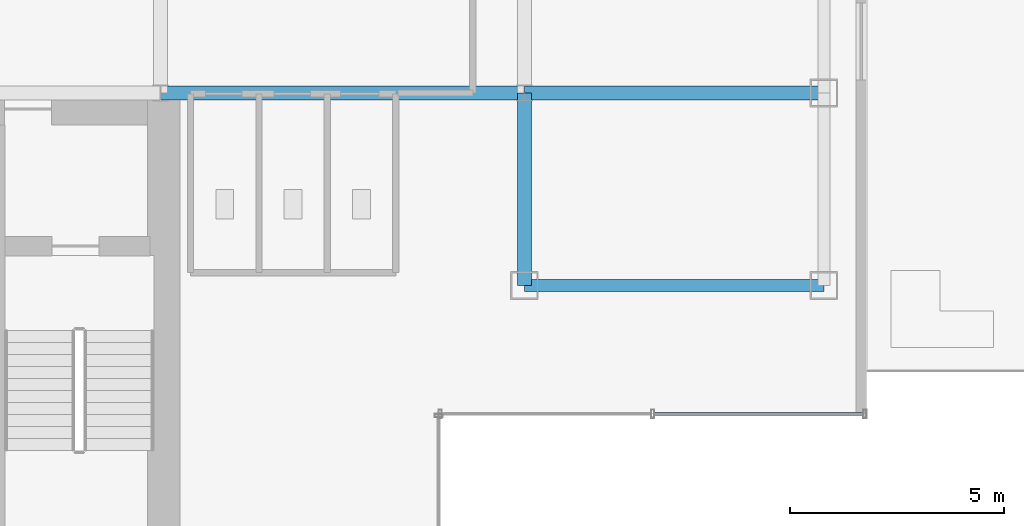
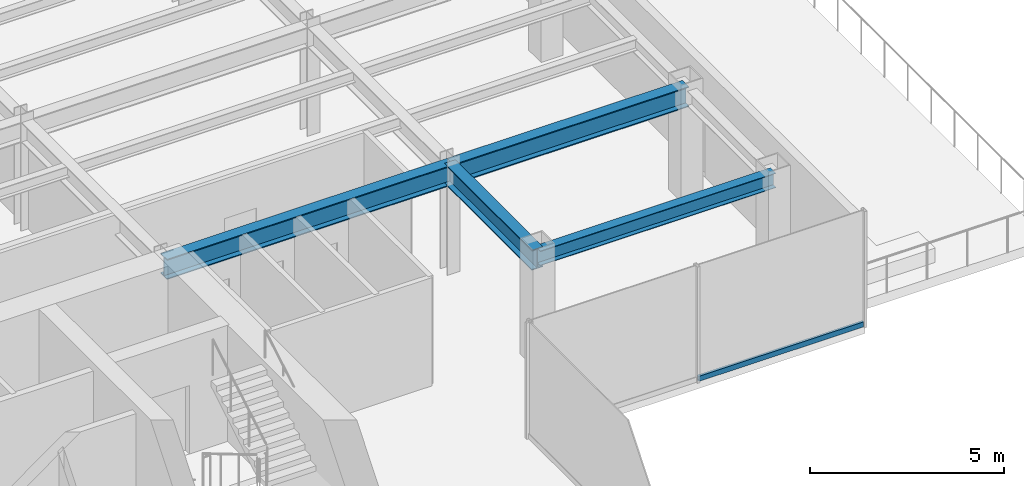
# One storey, part 10 of 23: 4 beams, 1 member, 1 element without a shape of its own.
"""IFC4 building model written with IfcOpenShell, lengths in metres."""

from ifc_helpers import new_model, si_unit, derived_unit, direction, frame, origin, origin_2d, place, context, subcontext, project, spatial, hollow_rectangle, i_section, extrude, source, transform, mapped, material, material_profile, profile_set, type_object, element, aggregate, save


model = new_model("IFC4")

# Units and contexts
model_context = context("Model", 3, precision=1e-05, world=origin(), true_north=direction((0.0, 1.0)))
body_context = subcontext(model_context, "Body", "Model", "MODEL_VIEW")
ifc_project = project(units=[si_unit("LENGTHUNIT", "METRE"), si_unit("AREAUNIT", "SQUARE_METRE"), si_unit("VOLUMEUNIT", "CUBIC_METRE"), si_unit("PLANEANGLEUNIT", "RADIAN"), si_unit("MASSUNIT", "GRAM", prefix="KILO"), derived_unit("THERMALTRANSMITTANCEUNIT", [(si_unit("POWERUNIT", "WATT"), 1), (si_unit("LENGTHUNIT", "METRE"), -2), (si_unit("THERMODYNAMICTEMPERATUREUNIT", "KELVIN"), -1)])], contexts=[model_context])

# Site, building, storey
site_placement = place(None, origin())
site = spatial("IfcSite", under=ifc_project, at=site_placement, CompositionType="ELEMENT")
building_placement = place(site_placement, origin())
building = spatial("IfcBuilding", under=site, at=building_placement, Name="Skarnbrae Concourse Arena and Tower", CompositionType="ELEMENT")
storey_placement = place(building_placement, frame((0.0, 0.0, 140.60009765625)))
storey = spatial("IfcBuildingStorey", under=building, at=storey_placement, Name="L35", CompositionType="ELEMENT", Elevation=140.60009765625)

# Beams
ifc_material_1 = material(Name="Steel CSA G40.21 350W", Category="steel")
ifc_material_profile_1 = material_profile(ifc_material_1, i_section(OverallWidth=0.280029296875, OverallDepth=0.462890625, WebThickness=0.0107421875, FlangeThickness=0.017333984375, at=origin_2d()), Name="W460X113")
ifc_profile_set_1 = profile_set([ifc_material_profile_1], Name="Steel CSA G40.21 350W")
beam_type_1 = type_object("IfcBeamType", Name="BM-SPAN-W460X113", PredefinedType="SPANDREL", material=ifc_profile_set_1)
shared_shape_1 = source(origin(), body_context, "Body", "SweptSolid", [
    extrude(i_section(OverallWidth=0.280029296875, OverallDepth=0.462890625, WebThickness=0.0107421875, FlangeThickness=0.017333984375, at=origin_2d()), origin(), (0.0, 0.0, 1.0), 7.0),
])
beam_1_placement = place(storey_placement, frame((42.0, 9.5, 3.16845703125), z_axis=(1.0, 0.0, 0.0), x_axis=(0.0, 1.0, 0.0)))
element("IfcBeam", 1, at=beam_1_placement, inside=storey, type_object=beam_type_1, Name="L35 Perimeter spandrel Y9.5-2", PredefinedType="SPANDREL", context=body_context, shape_type="MappedRepresentation", body=[
    mapped(shared_shape_1, transform((0.0, 0.0, 0.0))),
])
ifc_material_profile_2 = material_profile(ifc_material_1, i_section(OverallWidth=0.3291015625, OverallDepth=0.635009765625, WebThickness=0.017822265625, FlangeThickness=0.031005859375, at=origin_2d()), Name="W610X241")
ifc_profile_set_2 = profile_set([ifc_material_profile_2], Name="Steel CSA G40.21 350W")
beam_type_2 = type_object("IfcBeamType", Name="BM-GIRD-W610X241", PredefinedType="BEAM", material=ifc_profile_set_2)
shared_shape_2 = source(origin(), body_context, "Body", "SweptSolid", [
    extrude(i_section(OverallWidth=0.3291015625, OverallDepth=0.635009765625, WebThickness=0.017822265625, FlangeThickness=0.031005859375, at=origin_2d()), origin(), (0.0, 0.0, 1.0), 8.5),
])
beam_2_placement = place(storey_placement, frame((33.5, 14.0, 3.08251953125), z_axis=(1.0, 0.0, 0.0), x_axis=(0.0, 1.0, 0.0)))
element("IfcBeam", 2, at=beam_2_placement, inside=storey, type_object=beam_type_2, Name="L35 Primary E-W girder Y14.0-6", PredefinedType="BEAM", context=body_context, shape_type="MappedRepresentation", body=[
    mapped(shared_shape_2, transform((0.0, 0.0, 0.0))),
])
shared_shape_3 = source(origin(), body_context, "Body", "SweptSolid", [
    extrude(i_section(OverallWidth=0.3291015625, OverallDepth=0.635009765625, WebThickness=0.017822265625, FlangeThickness=0.031005859375, at=origin_2d()), origin(), (0.0, 0.0, 1.0), 7.0),
])
beam_3_placement = place(storey_placement, frame((42.0, 14.0, 3.08251953125), z_axis=(1.0, 0.0, 0.0), x_axis=(0.0, 1.0, 0.0)))
element("IfcBeam", 3, at=beam_3_placement, inside=storey, type_object=beam_type_2, Name="L35 Primary E-W girder Y14.0-7", PredefinedType="BEAM", context=body_context, shape_type="MappedRepresentation", body=[
    mapped(shared_shape_3, transform((0.0, 0.0, 0.0))),
])
shared_shape_4 = source(origin(), body_context, "Body", "SweptSolid", [
    extrude(i_section(OverallWidth=0.3291015625, OverallDepth=0.635009765625, WebThickness=0.017822265625, FlangeThickness=0.031005859375, at=origin_2d()), origin(), (0.0, 0.0, 1.0), 4.5),
])
beam_4_placement = place(storey_placement, frame((42.0, 9.5, 3.08251953125), z_axis=(0.0, 1.0, 0.0), x_axis=(-1.0, 0.0, 0.0)))
element("IfcBeam", 4, at=beam_4_placement, inside=storey, type_object=beam_type_2, Name="L35 Primary N-S girder X42.0-1", PredefinedType="BEAM", context=body_context, shape_type="MappedRepresentation", body=[
    mapped(shared_shape_4, transform((0.0, 0.0, 0.0))),
])

# Curtain wall, member
ifc_material_2 = material(Name="Bronze anodised aluminium 6063-T6", Category="aluminium")
curtain_wall_type = type_object("IfcCurtainWallType", Name="CW-SYS-04-MIDZONE", PredefinedType="USERDEFINED", material=ifc_material_2)
curtain_wall_placement = place(storey_placement, origin())
curtain_wall = element("IfcCurtainWall", 5, at=curtain_wall_placement, inside=storey, type_object=curtain_wall_type, Name="L35 Unitised curtain wall CW-L35-E03", ObjectType="UNITISED CURTAIN WALL", PredefinedType="USERDEFINED")
ifc_material_profile_3 = material_profile(ifc_material_2, hollow_rectangle(XDim=0.074951171875, YDim=0.159912109375, WallThickness=0.00439453125, at=origin_2d()), Name="ALU-TRAN-75X160")
ifc_profile_set_3 = profile_set([ifc_material_profile_3], Name="Bronze anodised aluminium 6063-T6")
member_type = type_object("IfcMemberType", Name="CWT-CW-04", PredefinedType="USERDEFINED", material=ifc_profile_set_3)
shared_shape_5 = source(origin(), body_context, "Body", "SweptSolid", [
    extrude(hollow_rectangle(XDim=0.074951171875, YDim=0.159912109375, WallThickness=0.00439453125, at=origin_2d()), origin(), (0.0, 0.0, 1.0), 4.887451171875),
])
member_placement = place(storey_placement, frame((45.03759765625, 6.5, 0.079833984375), z_axis=(1.0, 0.0, 0.0), x_axis=(0.0, 1.0, 0.0)))
member = element("IfcMember", 6, at=member_placement, type_object=member_type, Name="CW-L35-E03 Transom 2", ObjectType="TRANSOM", PredefinedType="USERDEFINED", context=body_context, shape_type="MappedRepresentation", body=[
    mapped(shared_shape_5, transform((0.0, 0.0, 0.0))),
])
aggregate(curtain_wall, [member])

save(model, "model.ifc")
